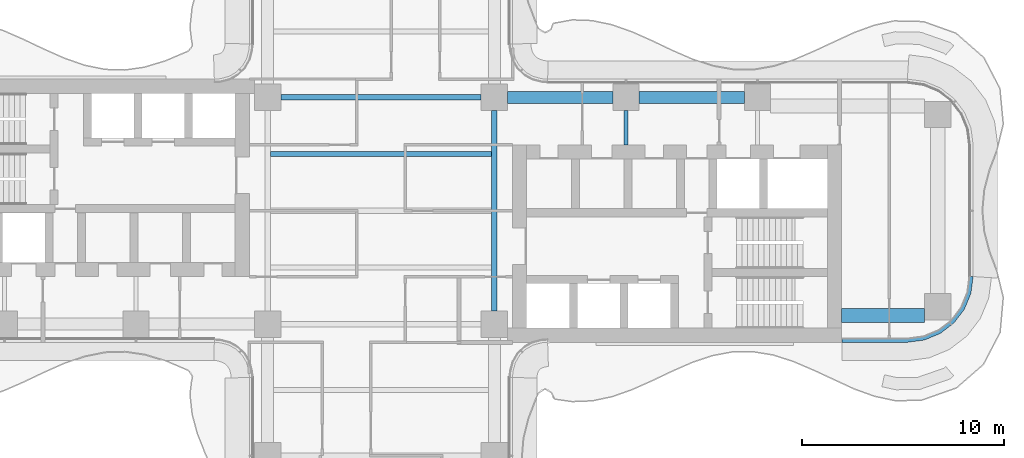
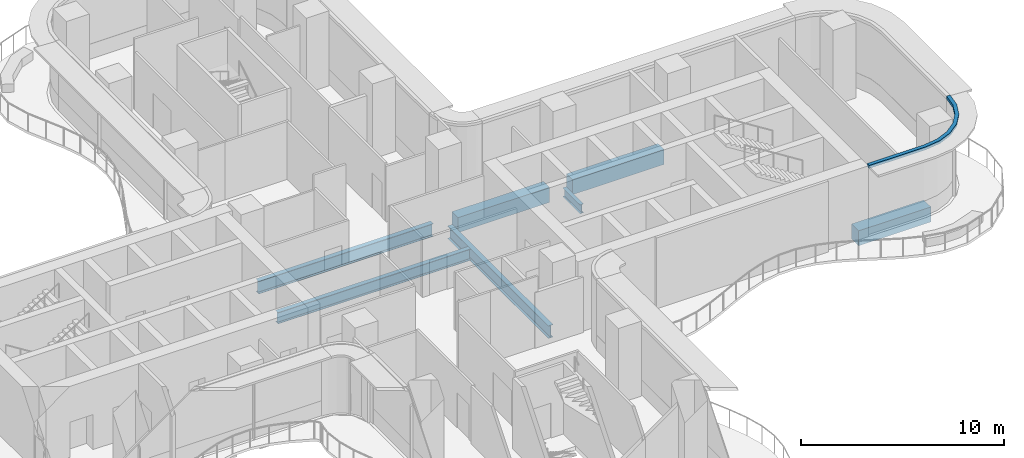
# One storey, part 6 of 20: 7 beams, 1 member, 1 element without a shape of its own.
"""IFC4 building model written with IfcOpenShell, lengths in metres."""

from ifc_helpers import new_model, si_unit, direction, frame, origin, origin_2d, place, context, subcontext, project, spatial, polyline, rectangle, i_section, outline, extrude, source, transform, mapped, material, layer, layer_set, material_profile, profile_set, type_object, element, aggregate, save


model = new_model("IFC4")

# Units and contexts
model_context = context("Model", 3, precision=1e-05, world=origin(), true_north=direction((0.0, 1.0)))
body_context = subcontext(model_context, "Body", "Model", "MODEL_VIEW")
ifc_project = project(units=[si_unit("LENGTHUNIT", "METRE"), si_unit("AREAUNIT", "SQUARE_METRE"), si_unit("VOLUMEUNIT", "CUBIC_METRE"), si_unit("PLANEANGLEUNIT", "RADIAN"), si_unit("MASSUNIT", "GRAM", prefix="KILO")], contexts=[model_context])

# Site, building, storey
site_placement = place(None, origin())
site = spatial("IfcSite", under=ifc_project, at=site_placement, CompositionType="ELEMENT")
building_placement = place(site_placement, origin())
building = spatial("IfcBuilding", under=site, at=building_placement, Name="Trellis Farm Tower", CompositionType="ELEMENT")
storey_placement = place(building_placement, frame((0.0, 0.0, 133.5)))
storey = spatial("IfcBuildingStorey", under=building, at=storey_placement, Name="L28", CompositionType="ELEMENT", Elevation=133.5)

# Beams
ifc_material_1 = material(Name="Steel S355", Category="steel")
ifc_material_profile_1 = material_profile(ifc_material_1, i_section(OverallWidth=0.253662109375, OverallDepth=0.68359375, WebThickness=0.012451171875, FlangeThickness=0.021728515625, FilletRadius=0.01513671875, at=origin_2d()), Name="UB 686x254x140")
ifc_profile_set_1 = profile_set([ifc_material_profile_1], Name="Steel S355")
beam_type_1 = type_object("IfcBeamType", Name="UB 686x254x140 joist", PredefinedType="JOIST", material=ifc_profile_set_1)
shared_shape_1 = source(origin(), body_context, "Body", "SweptSolid", [
    extrude(i_section(OverallWidth=0.253662109375, OverallDepth=0.68359375, WebThickness=0.012451171875, FlangeThickness=0.021728515625, FilletRadius=0.01513671875, at=origin_2d()), origin(), (0.0, 0.0, 1.0), 10.93310546875),
])
beam_1_placement = place(storey_placement, frame((-5.466552734375, 2.800048828125, -0.591796875), z_axis=(1.0, 0.0, 0.0), x_axis=(0.0, 1.0, 0.0)))
element("IfcBeam", 1, at=beam_1_placement, inside=storey, type_object=beam_type_1, Name="Floor beam", PredefinedType="JOIST", context=body_context, shape_type="MappedRepresentation", body=[
    mapped(shared_shape_1, transform((0.0, 0.0, 0.0))),
])
ifc_material_profile_2 = material_profile(ifc_material_1, i_section(OverallWidth=0.2666015625, OverallDepth=0.76220703125, WebThickness=0.014404296875, FlangeThickness=0.021484375, FilletRadius=0.0166015625, at=origin_2d()), Name="UB 762x267x173")
ifc_profile_set_2 = profile_set([ifc_material_profile_2], Name="Steel S355")
beam_type_2 = type_object("IfcBeamType", Name="UB 762x267x173", PredefinedType="BEAM", material=ifc_profile_set_2)
shared_shape_2 = source(origin(), body_context, "Body", "SweptSolid", [
    extrude(i_section(OverallWidth=0.2666015625, OverallDepth=0.76220703125, WebThickness=0.014404296875, FlangeThickness=0.021484375, FilletRadius=0.0166015625, at=origin_2d()), origin(), (0.0, 0.0, 1.0), 9.89990234375),
])
for number, where, z_axis, x_axis, name in (
    (2, (-4.949951171875, 5.60009765625, -0.631103515625), (1.0, 0.0, 0.0), (0.0, 1.0, 0.0), "Girder"),
    (3, (5.60009765625, -4.949951171875, -0.631103515625), (0.0, 1.0, 0.0), (-1.0, 0.0, 0.0), "Girder"),
):
    element("IfcBeam", number, at=place(storey_placement, frame(where, z_axis=z_axis, x_axis=x_axis)), inside=storey, type_object=beam_type_2, Name=name, PredefinedType="BEAM", context=body_context, shape_type="MappedRepresentation", body=[
        mapped(shared_shape_2, transform((0.0, 0.0, 0.0))),
    ])
ifc_material_profile_3 = material_profile(ifc_material_1, i_section(OverallWidth=0.209228515625, OverallDepth=0.533203125, WebThickness=0.010009765625, FlangeThickness=0.015625, FilletRadius=0.0126953125, at=origin_2d()), Name="UB 533x210x92")
ifc_profile_set_3 = profile_set([ifc_material_profile_3], Name="Steel S355")
beam_type_3 = type_object("IfcBeamType", Name="UB 533x210x92", PredefinedType="BEAM", material=ifc_profile_set_3)
shared_shape_3 = source(origin(), body_context, "Body", "SweptSolid", [
    extrude(i_section(OverallWidth=0.209228515625, OverallDepth=0.533203125, WebThickness=0.010009765625, FlangeThickness=0.015625, FilletRadius=0.0126953125, at=origin_2d()), origin(), (0.0, 0.0, 1.0), 1.699951171875),
])
beam_2_placement = place(storey_placement, frame((12.10009765625, 3.25, -0.5166015625), z_axis=(0.0, 1.0, 0.0), x_axis=(-1.0, 0.0, 0.0)))
element("IfcBeam", 4, at=beam_2_placement, inside=storey, type_object=beam_type_3, Name="Girder", PredefinedType="BEAM", context=body_context, shape_type="MappedRepresentation", body=[
    mapped(shared_shape_3, transform((0.0, 0.0, 0.0))),
])
ifc_material_2 = material(Name="Concrete C60/75", Category="concrete")
ifc_material_profile_4 = material_profile(ifc_material_2, rectangle(XDim=0.60009765625, YDim=0.89990234375, at=origin_2d()), Name="RC spandrel beam 600x900 C60/75")
ifc_profile_set_4 = profile_set([ifc_material_profile_4], Name="Concrete C60/75")
beam_type_4 = type_object("IfcBeamType", Name="RC spandrel beam 600x900 C60/75", PredefinedType="SPANDREL", material=ifc_profile_set_4)
shared_shape_4 = source(origin(), body_context, "Body", "SweptSolid", [
    extrude(rectangle(XDim=0.60009765625, YDim=0.89990234375, at=origin_2d()), origin(), (0.0, 0.0, 1.0), 5.199951171875),
])
for number, where, z_axis, x_axis, name in (
    (5, (6.25, 5.60009765625, -0.699951171875), (1.0, 0.0, 0.0), (0.0, 1.0, 0.0), "Girder"),
    (6, (12.75, 5.60009765625, -0.699951171875), (1.0, 0.0, 0.0), (0.0, 1.0, 0.0), "Girder"),
):
    element("IfcBeam", number, at=place(storey_placement, frame(where, z_axis=z_axis, x_axis=x_axis)), inside=storey, type_object=beam_type_4, Name=name, PredefinedType="SPANDREL", context=body_context, shape_type="MappedRepresentation", body=[
        mapped(shared_shape_4, transform((0.0, 0.0, 0.0))),
    ])
ifc_material_profile_5 = material_profile(ifc_material_2, rectangle(XDim=0.699951171875, YDim=0.89990234375, at=origin_2d()), Name="RC spandrel beam 700x900 C60/75")
ifc_profile_set_5 = profile_set([ifc_material_profile_5], Name="Concrete C60/75")
beam_type_5 = type_object("IfcBeamType", Name="RC spandrel beam 700x900 C60/75", PredefinedType="SPANDREL", material=ifc_profile_set_5)
shared_shape_5 = source(origin(), body_context, "Body", "SweptSolid", [
    extrude(rectangle(XDim=0.699951171875, YDim=0.89990234375, at=origin_2d()), origin(), (0.0, 0.0, 1.0), 4.10009765625),
])
beam_3_placement = place(storey_placement, frame((22.75, -5.175048828125, -0.699951171875), z_axis=(1.0, 0.0, 0.0), x_axis=(0.0, 1.0, 0.0)))
element("IfcBeam", 7, at=beam_3_placement, inside=storey, type_object=beam_type_5, Name="Girder", PredefinedType="SPANDREL", context=body_context, shape_type="MappedRepresentation", body=[
    mapped(shared_shape_5, transform((0.0, 0.0, 0.0))),
])

# Curtain wall, member
ifc_material_3 = material(Name="Aluminium and glass curtain wall", Category="aluminium")
ifc_layer_1 = layer(ifc_material_3, 0.18994140625)
ifc_layer_set_1 = layer_set([ifc_layer_1], Name="RIBBON CURTAIN WALL CW1")
curtain_wall_type = type_object("IfcCurtainWallType", Name="RIBBON CURTAIN WALL CW1", PredefinedType="NOTDEFINED", material=ifc_layer_set_1)
curtain_wall_placement = place(storey_placement, origin())
curtain_wall = element("IfcCurtainWall", 8, at=curtain_wall_placement, inside=storey, type_object=curtain_wall_type, Name="CW1 005", PredefinedType="NOTDEFINED")
ifc_material_4 = material(Name="Aluminium extrusion 6063-T6", Category="aluminium")
ifc_layer_2 = layer(ifc_material_4, 0.199951171875)
ifc_layer_set_2 = layer_set([ifc_layer_2], Name="Aluminium extrusion 6063-T6")
member_type = type_object("IfcMemberType", Name="CW1 TRANSOM 200x180", PredefinedType="USERDEFINED", material=ifc_layer_set_2)
shared_shape_6 = source(origin(), body_context, "Body", "SweptSolid", [
    extrude(outline(polyline([(22.780029296875, -6.5), (26.0, -6.5), (26.841064453125, -6.38916015625), (27.625, -6.064697265625), (28.298095703125, -5.548095703125), (28.814697265625, -4.875), (29.13916015625, -4.091064453125), (29.25, -3.25), (29.050048828125, -3.23681640625), (28.9443359375, -4.0390625), (28.639892578125, -4.774169921875), (28.155517578125, -5.405517578125), (27.524169921875, -5.889892578125), (26.7890625, -6.1943359375), (25.98681640625, -6.300048828125), (22.780029296875, -6.300048828125), (22.780029296875, -6.5)])), origin(), (0.0, 0.0, 1.0), 0.179931640625),
])
member_placement = place(storey_placement, frame((0.0, 0.0, 4.070068359375)))
member = element("IfcMember", 9, at=member_placement, type_object=member_type, Name="TR1 005", ObjectType="TRANSOM", PredefinedType="USERDEFINED", context=body_context, shape_type="MappedRepresentation", body=[
    mapped(shared_shape_6, transform((0.0, 0.0, 0.0))),
])
aggregate(curtain_wall, [member])

save(model, "model.ifc")
